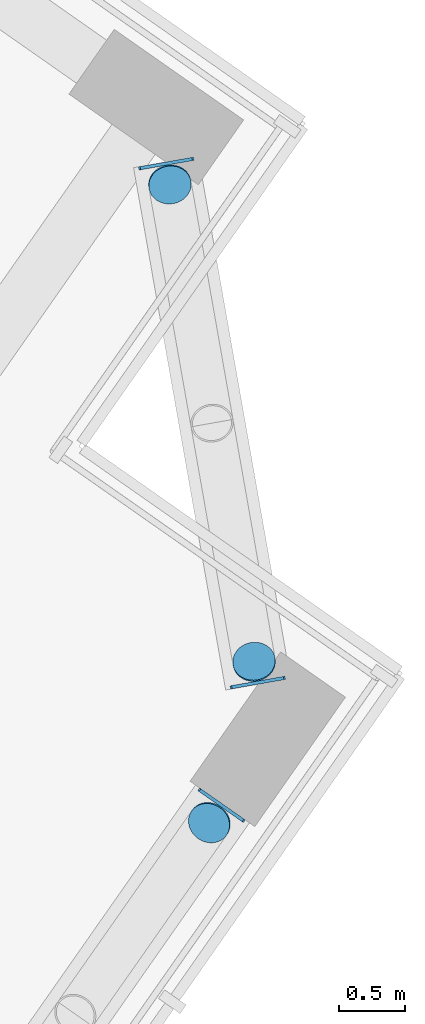
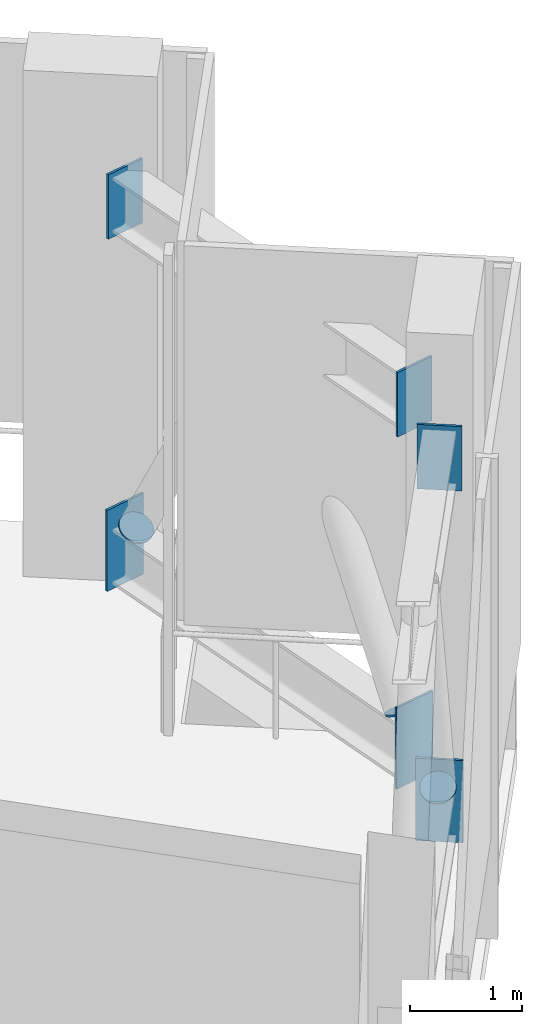
# One storey, part 12 of 19: 9 discrete accessories.
"""IFC4 building model written with IfcOpenShell, lengths in metres."""

from ifc_helpers import new_model, si_unit, direction, frame, origin, origin_2d, place, context, subcontext, project, spatial, rectangle, circle, extrude, material, layer, layer_set, material_profile, profile_set, type_object, element, save


model = new_model("IFC4")

# Units and contexts
model_context = context("Model", 3, precision=1e-05, world=origin(), true_north=direction((0.0, 1.0)))
body_context = subcontext(model_context, "Body", "Model", "MODEL_VIEW")
ifc_project = project(units=[si_unit("LENGTHUNIT", "METRE"), si_unit("AREAUNIT", "SQUARE_METRE"), si_unit("VOLUMEUNIT", "CUBIC_METRE"), si_unit("PLANEANGLEUNIT", "RADIAN"), si_unit("MASSUNIT", "GRAM", prefix="KILO")], contexts=[model_context])

# Site, building, storey
site_placement = place(None, origin())
site = spatial("IfcSite", under=ifc_project, at=site_placement, CompositionType="ELEMENT")
building_placement = place(site_placement, origin())
building = spatial("IfcBuilding", under=site, at=building_placement, Name="Tel Ilan Convention Tower", CompositionType="ELEMENT")
storey_placement = place(building_placement, frame((0.0, 0.0, 213.89990234375)))
storey = spatial("IfcBuildingStorey", under=building, at=storey_placement, Name="L50", CompositionType="ELEMENT", Elevation=213.89990234375)

# Discrete accessories
ifc_material_1 = material(Name="Steel S355", Category="steel")
ifc_material_profile = material_profile(ifc_material_1, circle(Radius=0.161865234375, at=origin_2d()), Name="End Cap Disc 324 mm Steel S355")
ifc_profile_set = profile_set([ifc_material_profile], Name="Steel S355")
discrete_accessory_type_1 = type_object("IfcDiscreteAccessoryType", Name="End Cap Disc 324 mm Steel S355", PredefinedType="BRACKET", material=ifc_profile_set)
for number, where, z_axis, x_axis, name in (
    (1, (33.663818359375, -20.0048828125, 0.699462890625), (0.25596436017, 0.377852150727, -0.889780871066), (-0.827918690488, 0.56084814517, 0.0), "L50 E-E2-E-E3 belt end cap"),
    (2, (34.005615234375, -18.774658203125, 0.686767578125), (0.0731163822, -0.4508843569, -0.889582650099), (0.987105477748, 0.160071158554, 0.0), "L50 E-E3-E-BC belt end cap"),
    (3, (33.367431640625, -15.155029296875, 0.686767578125), (-0.085220226656, 0.450449769467, -0.888725220839), (-0.982570245697, -0.185891668105, 0.0), "L50 E-E3-E-BC belt end cap"),
):
    element("IfcDiscreteAccessory", number, at=place(storey_placement, frame(where, z_axis=z_axis, x_axis=x_axis)), inside=storey, type_object=discrete_accessory_type_1, Name=name, PredefinedType="BRACKET", context=body_context, shape_type="SweptSolid", body=[
        extrude(circle(Radius=0.161865234375, at=origin_2d()), origin(), (0.0, 0.0, 1.0), 0.02001953125),
    ])
ifc_material_2 = material(Name="Steel S355", Category="steel")
ifc_layer = layer(ifc_material_2, 0.02490234375)
ifc_layer_set = layer_set([ifc_layer], Name="End Plate 25 mm Steel S355")
discrete_accessory_type_2 = type_object("IfcDiscreteAccessoryType", Name="End Plate 25 mm Steel S355", PredefinedType="BRACKET", material=ifc_layer_set)
discrete_accessory_1_placement = place(storey_placement, frame((33.7587890625, -19.868896484375, 0.0), z_axis=(0.0, 0.0, 1.0), x_axis=(0.573576436351, 0.819152044289, 0.0)))
element("IfcDiscreteAccessory", 4, at=discrete_accessory_1_placement, inside=storey, type_object=discrete_accessory_type_2, Name="L50 E-E2-E-E3 belt end plate", PredefinedType="BRACKET", context=body_context, shape_type="SweptSolid", body=[
    extrude(rectangle(XDim=0.02490234375, YDim=0.423828125, at=origin_2d()), origin(), (0.0, 0.0, 1.0), 0.8935546875),
])
discrete_accessory_2_placement = place(storey_placement, frame((33.7587890625, -19.868896484375, 3.8203125), z_axis=(0.0, 0.0, 1.0), x_axis=(0.573576436351, 0.819152044289, 0.0)))
element("IfcDiscreteAccessory", 5, at=discrete_accessory_2_placement, inside=storey, type_object=discrete_accessory_type_2, Name="L50 E-E2-E-E3 belt end plate", PredefinedType="BRACKET", context=body_context, shape_type="SweptSolid", body=[
    extrude(rectangle(XDim=0.02490234375, YDim=0.39990234375, at=origin_2d()), origin(), (0.0, 0.0, 1.0), 0.699951171875),
])
discrete_accessory_3_placement = place(storey_placement, frame((33.338623046875, -14.992431640625, 0.0), z_axis=(0.0, 0.0, 1.0), x_axis=(-0.173648177667, 0.984807753012, 0.0)))
element("IfcDiscreteAccessory", 6, at=discrete_accessory_3_placement, inside=storey, type_object=discrete_accessory_type_2, Name="L50 E-E3-E-BC belt end plate", PredefinedType="BRACKET", context=body_context, shape_type="SweptSolid", body=[
    extrude(rectangle(XDim=0.02490234375, YDim=0.423828125, at=origin_2d()), origin(), (0.0, 0.0, 1.0), 0.880859375),
])
discrete_accessory_4_placement = place(storey_placement, frame((33.338623046875, -14.992431640625, 3.8203125), z_axis=(0.0, 0.0, 1.0), x_axis=(-0.173648177667, 0.984807753012, 0.0)))
element("IfcDiscreteAccessory", 7, at=discrete_accessory_4_placement, inside=storey, type_object=discrete_accessory_type_2, Name="L50 E-E3-E-BC belt end plate", PredefinedType="BRACKET", context=body_context, shape_type="SweptSolid", body=[
    extrude(rectangle(XDim=0.02490234375, YDim=0.39990234375, at=origin_2d()), origin(), (0.0, 0.0, 1.0), 0.699951171875),
])
discrete_accessory_5_placement = place(storey_placement, frame((34.0341796875, -18.937255859375, 0.0), z_axis=(0.0, 0.0, 1.0), x_axis=(0.173648177667, -0.984807753012, 0.0)))
element("IfcDiscreteAccessory", 8, at=discrete_accessory_5_placement, inside=storey, type_object=discrete_accessory_type_2, Name="L50 E-E3-E-BC belt end plate", PredefinedType="BRACKET", context=body_context, shape_type="SweptSolid", body=[
    extrude(rectangle(XDim=0.02490234375, YDim=0.423828125, at=origin_2d()), origin(), (0.0, 0.0, 1.0), 0.880859375),
])
discrete_accessory_6_placement = place(storey_placement, frame((34.0341796875, -18.937255859375, 3.8203125), z_axis=(0.0, 0.0, 1.0), x_axis=(0.173648177667, -0.984807753012, 0.0)))
element("IfcDiscreteAccessory", 9, at=discrete_accessory_6_placement, inside=storey, type_object=discrete_accessory_type_2, Name="L50 E-E3-E-BC belt end plate", PredefinedType="BRACKET", context=body_context, shape_type="SweptSolid", body=[
    extrude(rectangle(XDim=0.02490234375, YDim=0.39990234375, at=origin_2d()), origin(), (0.0, 0.0, 1.0), 0.699951171875),
])

save(model, "model.ifc")
